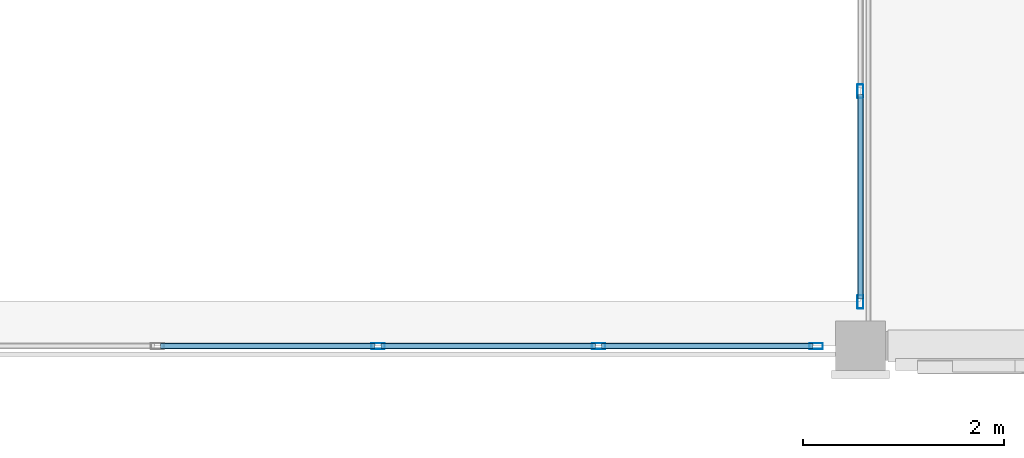
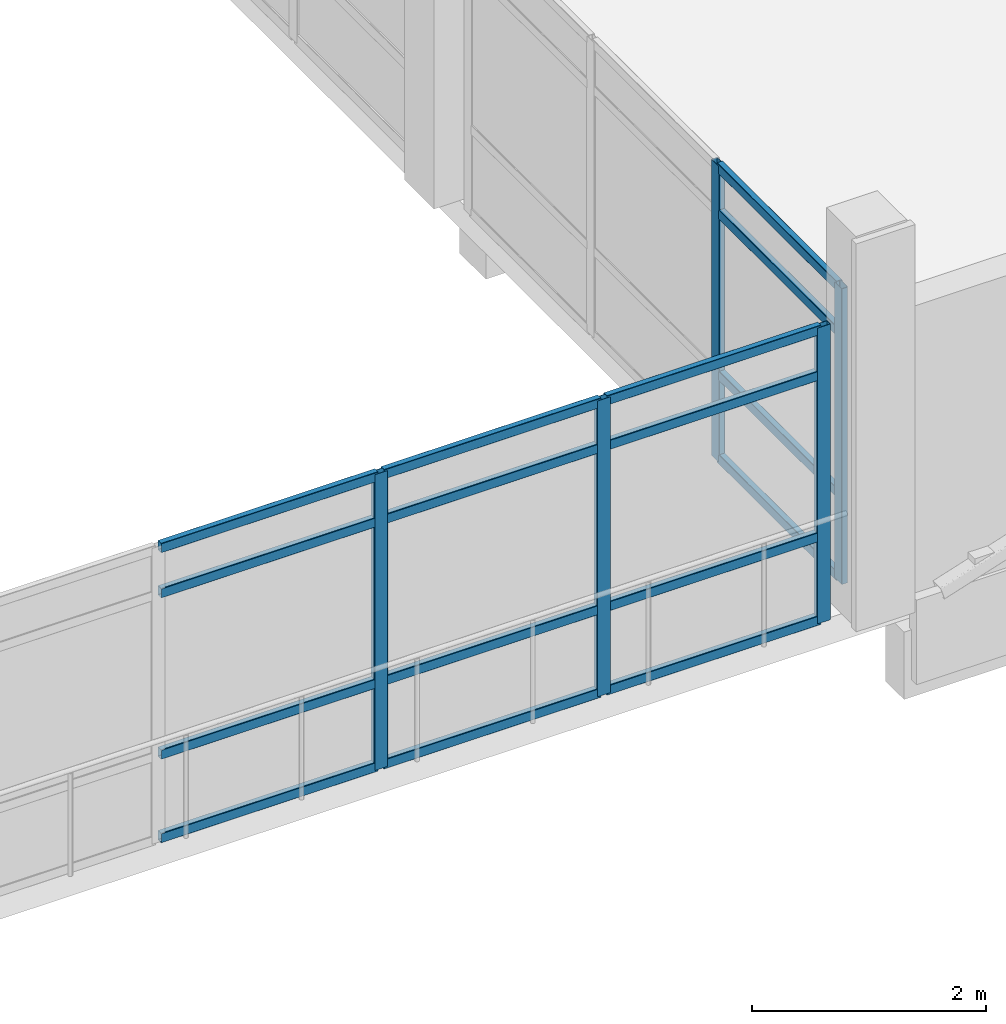
# One storey, part 4 of 24: 21 members, 2 elements without a shape of their own.
"""IFC4 building model written with IfcOpenShell, lengths in metres."""

from ifc_helpers import new_model, si_unit, direction, frame, origin, origin_2d, place, context, subcontext, project, spatial, hollow_rectangle, extrude, material, layer, layer_set, material_profile, profile_set, type_object, element, aggregate, save


model = new_model("IFC4")

# Units and contexts
model_context = context("Model", 3, precision=1e-05, world=origin(), true_north=direction((0.0, 1.0)))
body_context = subcontext(model_context, "Body", "Model", "MODEL_VIEW")
ifc_project = project(units=[si_unit("LENGTHUNIT", "METRE"), si_unit("AREAUNIT", "SQUARE_METRE"), si_unit("VOLUMEUNIT", "CUBIC_METRE"), si_unit("PLANEANGLEUNIT", "RADIAN"), si_unit("MASSUNIT", "GRAM", prefix="KILO")], contexts=[model_context])

# Site, building, storey
site_placement = place(None, origin())
site = spatial("IfcSite", under=ifc_project, at=site_placement, CompositionType="ELEMENT")
building_placement = place(site_placement, origin())
building = spatial("IfcBuilding", under=site, at=building_placement, Name="Asteropetra Specialist Clinic", CompositionType="ELEMENT")
storey_placement = place(building_placement, frame((0.0, 0.0, 20.739990234375)))
storey = spatial("IfcBuildingStorey", under=building, at=storey_placement, Name="L05", CompositionType="ELEMENT", Elevation=20.739990234375)

# Curtain wall, members
ifc_material_1 = material(Name="Aluminium and low-E glass", Category="aluminium")
ifc_layer_1 = layer(ifc_material_1, 0.135009765625)
ifc_layer_set_1 = layer_set([ifc_layer_1], Name="Aluminium and low-E glass")
curtain_wall_type_1 = type_object("IfcCurtainWallType", Name="CW-SYS-03", PredefinedType="USERDEFINED", material=ifc_layer_set_1)
curtain_wall_1_placement = place(storey_placement, origin())
curtain_wall_1 = element("IfcCurtainWall", 1, at=curtain_wall_1_placement, inside=storey, type_object=curtain_wall_type_1, Name="Curtain Wall CW-059", ObjectType="UNITISED CURTAIN WALL", PredefinedType="USERDEFINED")
ifc_material_2 = material(Name="Aluminium 6063-T6", Category="aluminium")
ifc_material_profile_1 = material_profile(ifc_material_2, hollow_rectangle(XDim=0.06005859375, YDim=0.135009765625, WallThickness=0.00341796875, InnerFilletRadius=0.00341796875, OuterFilletRadius=0.007080078125, at=origin_2d()), Name="MUL 135x60x3.5")
ifc_profile_set_1 = profile_set([ifc_material_profile_1], Name="Aluminium 6063-T6")
member_type_1 = type_object("IfcMemberType", Name="CWM-135x60", PredefinedType="MULLION", material=ifc_profile_set_1)
member_1_placement = place(storey_placement, frame((24.0, 76.800048828125, 0.0), z_axis=(0.0, 0.0, 1.0), x_axis=(0.0, 1.0, 0.0)))
member_1 = element("IfcMember", 2, at=member_1_placement, type_object=member_type_1, Name="CW-059 mullion 3", PredefinedType="MULLION", context=body_context, shape_type="SweptSolid", body=[
    extrude(hollow_rectangle(XDim=0.06005859375, YDim=0.135009765625, WallThickness=0.00341796875, InnerFilletRadius=0.00341796875, OuterFilletRadius=0.007080078125, at=origin_2d()), origin(), (0.0, 0.0, 1.0), 3.080078125),
])
member_2_placement = place(storey_placement, frame((26.195068359375, 76.800048828125, 0.0), z_axis=(0.0, 0.0, 1.0), x_axis=(0.0, 1.0, 0.0)))
member_2 = element("IfcMember", 3, at=member_2_placement, type_object=member_type_1, Name="CW-059 mullion 4", PredefinedType="MULLION", context=body_context, shape_type="SweptSolid", body=[
    extrude(hollow_rectangle(XDim=0.06005859375, YDim=0.135009765625, WallThickness=0.00341796875, InnerFilletRadius=0.00341796875, OuterFilletRadius=0.007080078125, at=origin_2d()), origin(), (0.0, 0.0, 1.0), 3.080078125),
])
member_3_placement = place(storey_placement, frame((28.360107421875, 76.800048828125, 0.0), z_axis=(0.0, 0.0, 1.0), x_axis=(0.0, 1.0, 0.0)))
member_3 = element("IfcMember", 4, at=member_3_placement, type_object=member_type_1, Name="CW-059 mullion 5", PredefinedType="MULLION", context=body_context, shape_type="SweptSolid", body=[
    extrude(hollow_rectangle(XDim=0.06005859375, YDim=0.135009765625, WallThickness=0.00341796875, InnerFilletRadius=0.00341796875, OuterFilletRadius=0.007080078125, at=origin_2d()), origin(), (0.0, 0.0, 1.0), 3.080078125),
])

ifc_material_3 = material(Name="Aluminium and low-E glass", Category="aluminium")
ifc_layer_2 = layer(ifc_material_3, 0.14990234375)
ifc_layer_set_2 = layer_set([ifc_layer_2], Name="Aluminium and low-E glass")
curtain_wall_type_2 = type_object("IfcCurtainWallType", Name="CW-SYS-05", PredefinedType="USERDEFINED", material=ifc_layer_set_2)
curtain_wall_2_placement = place(storey_placement, origin())
curtain_wall_2 = element("IfcCurtainWall", 5, at=curtain_wall_2_placement, inside=storey, type_object=curtain_wall_type_2, Name="Curtain Wall CW-062", ObjectType="UNITISED CURTAIN WALL", PredefinedType="USERDEFINED")
member_4_placement = place(storey_placement, frame((28.800048828125, 77.239990234375, 0.0), z_axis=(0.0, 0.0, 1.0), x_axis=(-1.0, 0.0, 0.0)))
member_4 = element("IfcMember", 6, at=member_4_placement, type_object=member_type_1, Name="CW-062 mullion 1", PredefinedType="MULLION", context=body_context, shape_type="SweptSolid", body=[
    extrude(hollow_rectangle(XDim=0.06005859375, YDim=0.135009765625, WallThickness=0.00341796875, InnerFilletRadius=0.00341796875, OuterFilletRadius=0.007080078125, at=origin_2d()), origin(), (0.0, 0.0, 1.0), 3.080078125),
])
member_5_placement = place(storey_placement, frame((28.800048828125, 79.336669921875, 0.0), z_axis=(0.0, 0.0, 1.0), x_axis=(-1.0, 0.0, 0.0)))
member_5 = element("IfcMember", 7, at=member_5_placement, type_object=member_type_1, Name="CW-062 mullion 2", PredefinedType="MULLION", context=body_context, shape_type="SweptSolid", body=[
    extrude(hollow_rectangle(XDim=0.06005859375, YDim=0.135009765625, WallThickness=0.00341796875, InnerFilletRadius=0.00341796875, OuterFilletRadius=0.007080078125, at=origin_2d()), origin(), (0.0, 0.0, 1.0), 3.080078125),
])

# Member
ifc_material_4 = material(Name="Aluminium 6063-T6", Category="aluminium")
ifc_material_profile_2 = material_profile(ifc_material_4, hollow_rectangle(XDim=0.06005859375, YDim=0.10009765625, WallThickness=0.00341796875, InnerFilletRadius=0.00341796875, OuterFilletRadius=0.007080078125, at=origin_2d()), Name="TRN 100x60x3.5")
ifc_profile_set_2 = profile_set([ifc_material_profile_2], Name="Aluminium 6063-T6")
member_type_2 = type_object("IfcMemberType", Name="CWT-100x60", PredefinedType="USERDEFINED", material=ifc_profile_set_2)
member_6_placement = place(storey_placement, frame((21.8349609375, 76.800048828125, 0.030029296875), z_axis=(1.0, 0.0, 0.0), x_axis=(0.0, 1.0, 0.0)))
member_6 = element("IfcMember", 8, at=member_6_placement, type_object=member_type_2, Name="CW-059 transom 2.1", ObjectType="TRANSOM", PredefinedType="USERDEFINED", context=body_context, shape_type="SweptSolid", body=[
    extrude(hollow_rectangle(XDim=0.06005859375, YDim=0.10009765625, WallThickness=0.00341796875, InnerFilletRadius=0.00341796875, OuterFilletRadius=0.007080078125, at=origin_2d()), origin(), (0.0, 0.0, 1.0), 2.135009765625),
])

member_7_placement = place(storey_placement, frame((21.8349609375, 76.800048828125, 0.89990234375), z_axis=(1.0, 0.0, 0.0), x_axis=(0.0, 1.0, 0.0)))
member_7 = element("IfcMember", 9, at=member_7_placement, type_object=member_type_2, Name="CW-059 transom 2.2", ObjectType="TRANSOM", PredefinedType="USERDEFINED", context=body_context, shape_type="SweptSolid", body=[
    extrude(hollow_rectangle(XDim=0.06005859375, YDim=0.10009765625, WallThickness=0.00341796875, InnerFilletRadius=0.00341796875, OuterFilletRadius=0.007080078125, at=origin_2d()), origin(), (0.0, 0.0, 1.0), 2.135009765625),
])

member_8_placement = place(storey_placement, frame((21.8349609375, 76.800048828125, 2.580078125), z_axis=(1.0, 0.0, 0.0), x_axis=(0.0, 1.0, 0.0)))
member_8 = element("IfcMember", 10, at=member_8_placement, type_object=member_type_2, Name="CW-059 transom 2.3", ObjectType="TRANSOM", PredefinedType="USERDEFINED", context=body_context, shape_type="SweptSolid", body=[
    extrude(hollow_rectangle(XDim=0.06005859375, YDim=0.10009765625, WallThickness=0.00341796875, InnerFilletRadius=0.00341796875, OuterFilletRadius=0.007080078125, at=origin_2d()), origin(), (0.0, 0.0, 1.0), 2.135009765625),
])

member_9_placement = place(storey_placement, frame((21.8349609375, 76.800048828125, 3.050048828125), z_axis=(1.0, 0.0, 0.0), x_axis=(0.0, 1.0, 0.0)))
member_9 = element("IfcMember", 11, at=member_9_placement, type_object=member_type_2, Name="CW-059 transom 2.4", ObjectType="TRANSOM", PredefinedType="USERDEFINED", context=body_context, shape_type="SweptSolid", body=[
    extrude(hollow_rectangle(XDim=0.06005859375, YDim=0.10009765625, WallThickness=0.00341796875, InnerFilletRadius=0.00341796875, OuterFilletRadius=0.007080078125, at=origin_2d()), origin(), (0.0, 0.0, 1.0), 2.135009765625),
])

member_10_placement = place(storey_placement, frame((24.030029296875, 76.800048828125, 0.030029296875), z_axis=(1.0, 0.0, 0.0), x_axis=(0.0, 1.0, 0.0)))
member_10 = element("IfcMember", 12, at=member_10_placement, type_object=member_type_2, Name="CW-059 transom 3.1", ObjectType="TRANSOM", PredefinedType="USERDEFINED", context=body_context, shape_type="SweptSolid", body=[
    extrude(hollow_rectangle(XDim=0.06005859375, YDim=0.10009765625, WallThickness=0.00341796875, InnerFilletRadius=0.00341796875, OuterFilletRadius=0.007080078125, at=origin_2d()), origin(), (0.0, 0.0, 1.0), 2.135009765625),
])

member_11_placement = place(storey_placement, frame((24.030029296875, 76.800048828125, 0.89990234375), z_axis=(1.0, 0.0, 0.0), x_axis=(0.0, 1.0, 0.0)))
member_11 = element("IfcMember", 13, at=member_11_placement, type_object=member_type_2, Name="CW-059 transom 3.2", ObjectType="TRANSOM", PredefinedType="USERDEFINED", context=body_context, shape_type="SweptSolid", body=[
    extrude(hollow_rectangle(XDim=0.06005859375, YDim=0.10009765625, WallThickness=0.00341796875, InnerFilletRadius=0.00341796875, OuterFilletRadius=0.007080078125, at=origin_2d()), origin(), (0.0, 0.0, 1.0), 2.135009765625),
])

member_12_placement = place(storey_placement, frame((24.030029296875, 76.800048828125, 2.580078125), z_axis=(1.0, 0.0, 0.0), x_axis=(0.0, 1.0, 0.0)))
member_12 = element("IfcMember", 14, at=member_12_placement, type_object=member_type_2, Name="CW-059 transom 3.3", ObjectType="TRANSOM", PredefinedType="USERDEFINED", context=body_context, shape_type="SweptSolid", body=[
    extrude(hollow_rectangle(XDim=0.06005859375, YDim=0.10009765625, WallThickness=0.00341796875, InnerFilletRadius=0.00341796875, OuterFilletRadius=0.007080078125, at=origin_2d()), origin(), (0.0, 0.0, 1.0), 2.135009765625),
])

member_13_placement = place(storey_placement, frame((24.030029296875, 76.800048828125, 3.050048828125), z_axis=(1.0, 0.0, 0.0), x_axis=(0.0, 1.0, 0.0)))
member_13 = element("IfcMember", 15, at=member_13_placement, type_object=member_type_2, Name="CW-059 transom 3.4", ObjectType="TRANSOM", PredefinedType="USERDEFINED", context=body_context, shape_type="SweptSolid", body=[
    extrude(hollow_rectangle(XDim=0.06005859375, YDim=0.10009765625, WallThickness=0.00341796875, InnerFilletRadius=0.00341796875, OuterFilletRadius=0.007080078125, at=origin_2d()), origin(), (0.0, 0.0, 1.0), 2.135009765625),
])

member_14_placement = place(storey_placement, frame((26.22509765625, 76.800048828125, 0.030029296875), z_axis=(1.0, 0.0, 0.0), x_axis=(0.0, 1.0, 0.0)))
member_14 = element("IfcMember", 16, at=member_14_placement, type_object=member_type_2, Name="CW-059 transom 4.1", ObjectType="TRANSOM", PredefinedType="USERDEFINED", context=body_context, shape_type="SweptSolid", body=[
    extrude(hollow_rectangle(XDim=0.06005859375, YDim=0.10009765625, WallThickness=0.00341796875, InnerFilletRadius=0.00341796875, OuterFilletRadius=0.007080078125, at=origin_2d()), origin(), (0.0, 0.0, 1.0), 2.10498046875),
])

member_15_placement = place(storey_placement, frame((26.22509765625, 76.800048828125, 0.89990234375), z_axis=(1.0, 0.0, 0.0), x_axis=(0.0, 1.0, 0.0)))
member_15 = element("IfcMember", 17, at=member_15_placement, type_object=member_type_2, Name="CW-059 transom 4.2", ObjectType="TRANSOM", PredefinedType="USERDEFINED", context=body_context, shape_type="SweptSolid", body=[
    extrude(hollow_rectangle(XDim=0.06005859375, YDim=0.10009765625, WallThickness=0.00341796875, InnerFilletRadius=0.00341796875, OuterFilletRadius=0.007080078125, at=origin_2d()), origin(), (0.0, 0.0, 1.0), 2.10498046875),
])

member_16_placement = place(storey_placement, frame((26.22509765625, 76.800048828125, 2.580078125), z_axis=(1.0, 0.0, 0.0), x_axis=(0.0, 1.0, 0.0)))
member_16 = element("IfcMember", 18, at=member_16_placement, type_object=member_type_2, Name="CW-059 transom 4.3", ObjectType="TRANSOM", PredefinedType="USERDEFINED", context=body_context, shape_type="SweptSolid", body=[
    extrude(hollow_rectangle(XDim=0.06005859375, YDim=0.10009765625, WallThickness=0.00341796875, InnerFilletRadius=0.00341796875, OuterFilletRadius=0.007080078125, at=origin_2d()), origin(), (0.0, 0.0, 1.0), 2.10498046875),
])

member_17_placement = place(storey_placement, frame((26.22509765625, 76.800048828125, 3.050048828125), z_axis=(1.0, 0.0, 0.0), x_axis=(0.0, 1.0, 0.0)))
member_17 = element("IfcMember", 19, at=member_17_placement, type_object=member_type_2, Name="CW-059 transom 4.4", ObjectType="TRANSOM", PredefinedType="USERDEFINED", context=body_context, shape_type="SweptSolid", body=[
    extrude(hollow_rectangle(XDim=0.06005859375, YDim=0.10009765625, WallThickness=0.00341796875, InnerFilletRadius=0.00341796875, OuterFilletRadius=0.007080078125, at=origin_2d()), origin(), (0.0, 0.0, 1.0), 2.10498046875),
])

aggregate(curtain_wall_1, [member_1, member_2, member_3, member_6, member_7, member_8, member_9, member_10, member_11, member_12, member_13, member_14, member_15, member_16, member_17])

member_18_placement = place(storey_placement, frame((28.800048828125, 77.27001953125, 0.030029296875), z_axis=(0.0, 1.0, 0.0), x_axis=(-1.0, 0.0, 0.0)))
member_18 = element("IfcMember", 20, at=member_18_placement, type_object=member_type_2, Name="CW-062 transom 1.1", ObjectType="TRANSOM", PredefinedType="USERDEFINED", context=body_context, shape_type="SweptSolid", body=[
    extrude(hollow_rectangle(XDim=0.06005859375, YDim=0.10009765625, WallThickness=0.00341796875, InnerFilletRadius=0.00341796875, OuterFilletRadius=0.007080078125, at=origin_2d()), origin(), (0.0, 0.0, 1.0), 2.03662109375),
])

member_19_placement = place(storey_placement, frame((28.800048828125, 77.27001953125, 0.89990234375), z_axis=(0.0, 1.0, 0.0), x_axis=(-1.0, 0.0, 0.0)))
member_19 = element("IfcMember", 21, at=member_19_placement, type_object=member_type_2, Name="CW-062 transom 1.2", ObjectType="TRANSOM", PredefinedType="USERDEFINED", context=body_context, shape_type="SweptSolid", body=[
    extrude(hollow_rectangle(XDim=0.06005859375, YDim=0.10009765625, WallThickness=0.00341796875, InnerFilletRadius=0.00341796875, OuterFilletRadius=0.007080078125, at=origin_2d()), origin(), (0.0, 0.0, 1.0), 2.03662109375),
])

member_20_placement = place(storey_placement, frame((28.800048828125, 77.27001953125, 2.580078125), z_axis=(0.0, 1.0, 0.0), x_axis=(-1.0, 0.0, 0.0)))
member_20 = element("IfcMember", 22, at=member_20_placement, type_object=member_type_2, Name="CW-062 transom 1.3", ObjectType="TRANSOM", PredefinedType="USERDEFINED", context=body_context, shape_type="SweptSolid", body=[
    extrude(hollow_rectangle(XDim=0.06005859375, YDim=0.10009765625, WallThickness=0.00341796875, InnerFilletRadius=0.00341796875, OuterFilletRadius=0.007080078125, at=origin_2d()), origin(), (0.0, 0.0, 1.0), 2.03662109375),
])

member_21_placement = place(storey_placement, frame((28.800048828125, 77.27001953125, 3.050048828125), z_axis=(0.0, 1.0, 0.0), x_axis=(-1.0, 0.0, 0.0)))
member_21 = element("IfcMember", 23, at=member_21_placement, type_object=member_type_2, Name="CW-062 transom 1.4", ObjectType="TRANSOM", PredefinedType="USERDEFINED", context=body_context, shape_type="SweptSolid", body=[
    extrude(hollow_rectangle(XDim=0.06005859375, YDim=0.10009765625, WallThickness=0.00341796875, InnerFilletRadius=0.00341796875, OuterFilletRadius=0.007080078125, at=origin_2d()), origin(), (0.0, 0.0, 1.0), 2.03662109375),
])

aggregate(curtain_wall_2, [member_4, member_5, member_18, member_19, member_20, member_21])

save(model, "model.ifc")
